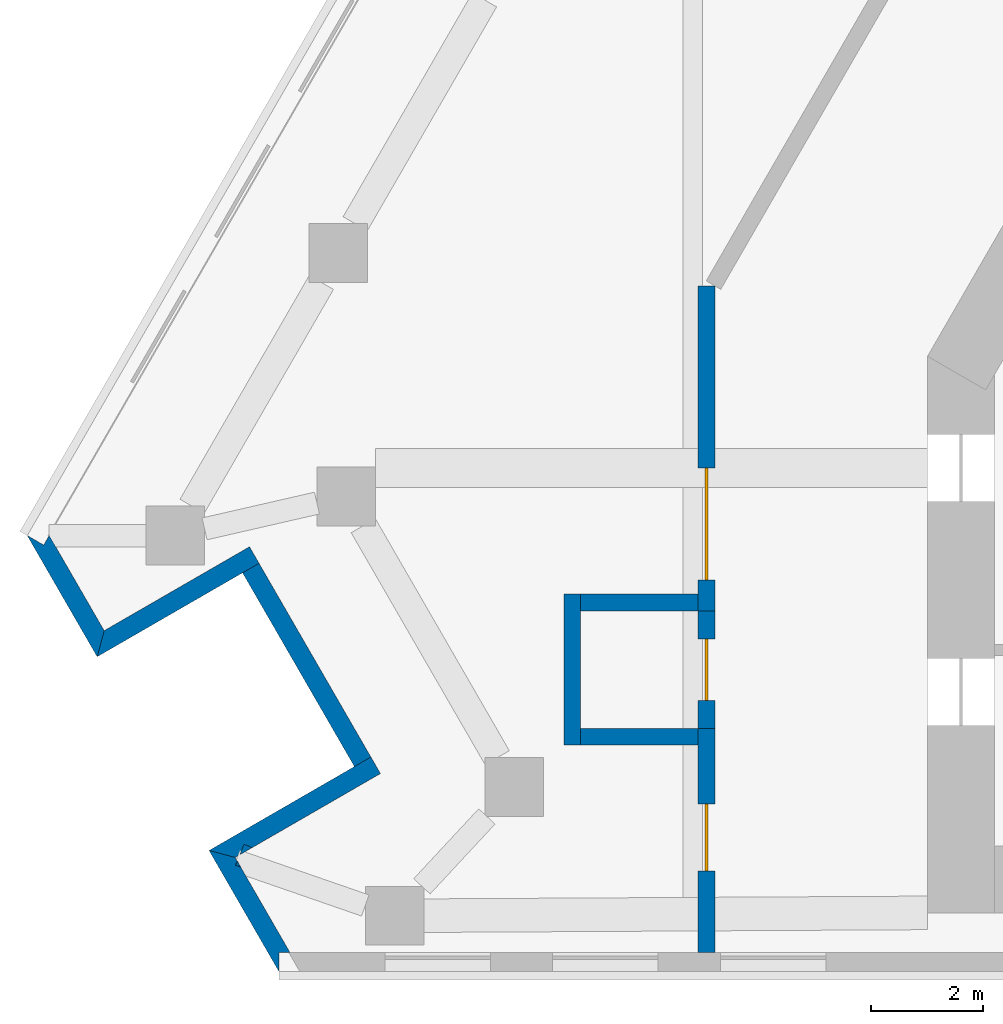
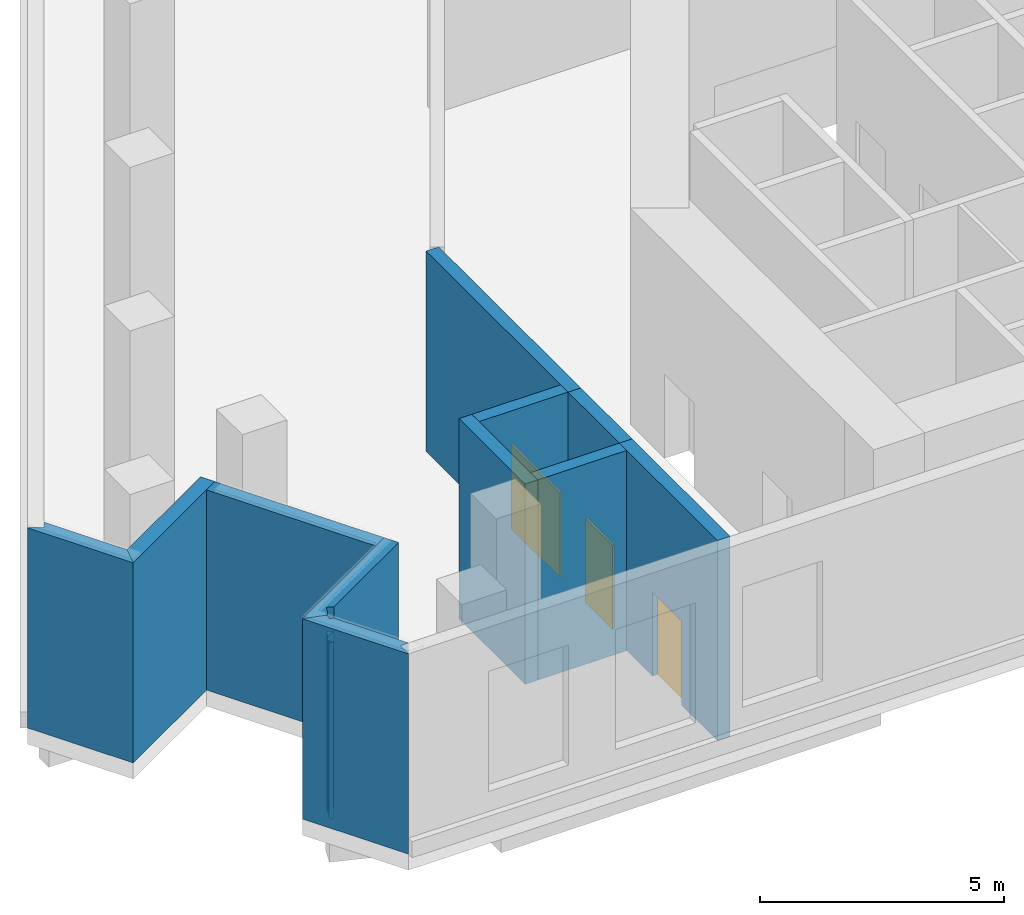
# One storey, part 3 of 10: 13 walls, 3 doors, 3 openings.
"""IFC4 building model written with IfcOpenShell, lengths in metres."""

from ifc_helpers import new_model, si_unit, direction, frame, frame_2d, origin, place, context, subcontext, project, spatial, polyline, rectangle, outline, extrude, material, layer, layer_set, type_object, element, fill, save


model = new_model("IFC4")

# Units and contexts
model_context = context("Model", 3, precision=1e-05, world=origin(), true_north=direction((0.0, 1.0)))
body_context = subcontext(model_context, "Body", "Model", "MODEL_VIEW")
ifc_project = project(units=[si_unit("LENGTHUNIT", "METRE"), si_unit("AREAUNIT", "SQUARE_METRE"), si_unit("VOLUMEUNIT", "CUBIC_METRE"), si_unit("PLANEANGLEUNIT", "RADIAN"), si_unit("MASSUNIT", "GRAM", prefix="KILO")], contexts=[model_context])

# Site, building, storey
site_placement = place(None, origin())
site = spatial("IfcSite", under=ifc_project, at=site_placement, CompositionType="ELEMENT")
building_placement = place(site_placement, origin())
building = spatial("IfcBuilding", under=site, at=building_placement, Name="Fogline Exchange Tower", CompositionType="ELEMENT")
storey_placement = place(building_placement, frame((0.0, 0.0, 132.10009765625)))
storey = spatial("IfcBuildingStorey", under=building, at=storey_placement, Name="L29", CompositionType="ELEMENT", Elevation=132.10009765625)

# Walls
ifc_material_1 = material(Name="Brick masonry", Category="masonry")
ifc_layer_1 = layer(ifc_material_1, 0.340087890625)
ifc_layer_set_1 = layer_set([ifc_layer_1], Name="FW3")
wall_type_1 = type_object("IfcWallType", Name="FW3", PredefinedType="SOLIDWALL", material=ifc_layer_set_1)
wall_1_placement = place(storey_placement, origin())
element("IfcWall", 1, at=wall_1_placement, inside=storey, type_object=wall_type_1, Name="Brick wall L29 SW-c1", PredefinedType="SOLIDWALL", context=body_context, shape_type="SweptSolid", body=[
    extrude(outline(polyline([(-28.643310546875, 5.6279296875), (-29.894287109375, 7.794921875), (-29.893798828125, 7.79541015625), (-29.59912109375, 7.625), (-29.500732421875, 7.79541015625), (-28.51806640625, 6.09375), (-28.64306640625, 5.6279296875), (-28.643310546875, 5.6279296875)])), origin(), (0.0, 0.0, 1.0), 5.0),
])
wall_2_placement = place(storey_placement, origin())
element("IfcWall", 2, at=wall_2_placement, inside=storey, type_object=wall_type_1, Name="Brick wall L29 SW-s1", PredefinedType="SOLIDWALL", context=body_context, shape_type="SweptSolid", body=[
    extrude(outline(polyline([(-25.92041015625, 7.594482421875), (-25.75, 7.298828125), (-26.044921875, 7.128662109375), (-28.643798828125, 5.628173828125), (-28.64404296875, 5.62841796875), (-28.519287109375, 6.093994140625), (-25.92041015625, 7.594482421875)])), origin(), (0.0, 0.0, 1.0), 5.0),
])
wall_3_placement = place(storey_placement, frame((-25.89794921875, 7.214111328125, 0.0), z_axis=(0.0, 0.0, 1.0), x_axis=(0.49999894854, -0.866026010844, 0.0)))
element("IfcWall", 3, at=wall_3_placement, inside=storey, type_object=wall_type_1, Name="Brick wall L29 SW-bk", PredefinedType="SOLIDWALL", context=body_context, shape_type="SweptSolid", body=[
    extrude(rectangle(XDim=4.0, YDim=0.340087890625, at=frame_2d((2.0, 0.0))), origin(), (0.0, 0.0, 1.0), 5.0),
])
wall_4_placement = place(storey_placement, origin())
element("IfcWall", 4, at=wall_4_placement, inside=storey, type_object=wall_type_1, Name="Brick wall L29 SW-s2", PredefinedType="SOLIDWALL", context=body_context, shape_type="SweptSolid", body=[
    extrude(outline(polyline([(-26.09375, 2.0888671875), (-26.020263671875, 2.27587890625), (-25.871337890625, 2.21728515625), (-26.09375, 2.0888671875)])), origin(), (0.0, 0.0, 1.0), 4.39990234375),
])
wall_5_placement = place(storey_placement, origin())
element("IfcWall", 5, at=wall_5_placement, inside=storey, type_object=wall_type_1, Name="Brick wall L29 SW-s2", PredefinedType="SOLIDWALL", context=body_context, shape_type="SweptSolid", body=[
    extrude(outline(polyline([(-24.04541015625, 3.66552734375), (-23.75048828125, 3.8359375), (-23.579833984375, 3.540283203125), (-25.871337890625, 2.21728515625), (-26.020263671875, 2.27587890625), (-26.09375, 2.0888671875), (-26.1787109375, 2.0400390625), (-26.64453125, 2.164794921875), (-26.64453125, 2.1650390625), (-24.04541015625, 3.66552734375)])), origin(), (0.0, 0.0, 1.0), 5.0),
])
wall_6_placement = place(storey_placement, origin())
element("IfcWall", 6, at=wall_6_placement, inside=storey, type_object=wall_type_1, Name="Brick wall L29 SW-c2", PredefinedType="SOLIDWALL", context=body_context, shape_type="SweptSolid", body=[
    extrude(outline(polyline([(-26.079345703125, 1.869384765625), (-26.166748046875, 1.90380859375), (-26.139404296875, 1.973388671875), (-26.079345703125, 1.869384765625)])), origin(), (0.0, 0.0, 1.0), 4.39990234375),
])
wall_7_placement = place(storey_placement, origin())
element("IfcWall", 7, at=wall_7_placement, inside=storey, type_object=wall_type_1, Name="Brick wall L29 SW-c2", PredefinedType="SOLIDWALL", context=body_context, shape_type="SweptSolid", body=[
    extrude(outline(polyline([(-25.392578125, 0.33935546875), (-25.392578125, -0.0009765625), (-25.393310546875, -0.001220703125), (-26.644287109375, 2.165771484375), (-26.64404296875, 2.166015625), (-26.178466796875, 2.041015625), (-26.139404296875, 1.973388671875), (-26.166748046875, 1.90380859375), (-26.079345703125, 1.869384765625), (-25.196044921875, 0.33935546875), (-25.392578125, 0.33935546875)])), origin(), (0.0, 0.0, 1.0), 5.0),
])

# Wall, opening, door
ifc_material_2 = material(Name="Concrete C40", Category="concrete")
ifc_layer_2 = layer(ifc_material_2, 0.300048828125)
ifc_layer_set_2 = layer_set([ifc_layer_2], Name="PP4")
wall_type_2 = type_object("IfcWallType", Name="PP4", PredefinedType="SOLIDWALL", material=ifc_layer_set_2)
wall_8_placement = place(storey_placement, frame((-17.75, 6.449951171875, 0.0), z_axis=(0.0, 0.0, 1.0), x_axis=(0.0, 1.0, 0.0)))
wall_8 = element("IfcWall", 8, at=wall_8_placement, inside=storey, type_object=wall_type_2, Name="PP4 partition", PredefinedType="SOLIDWALL", context=body_context, shape_type="SweptSolid", body=[
    extrude(rectangle(XDim=5.806640625, YDim=0.300048828125, at=frame_2d((2.9033203125, 0.0))), origin(), (0.0, 0.0, 1.0), 5.0),
])
opening_1_placement = place(wall_8_placement, frame((0.550048828125, 0.0, 0.0)))
opening_1 = element("IfcOpeningElement", 9, at=opening_1_placement, cuts=wall_8, Name="Opening L29-D007", PredefinedType="OPENING", context=body_context, shape_type="SweptSolid", body=[
    extrude(rectangle(XDim=2.0, YDim=2.10009765625, at=frame_2d((1.0, 1.050048828125))), frame((0.0, 0.16015625, 0.0), z_axis=(0.0, -1.0, 0.0), x_axis=(1.0, 0.0, 0.0)), (0.0, 0.0, 1.0), 0.320068359375),
])
ifc_material_3 = material(Name="Steel Q235B", Category="steel")
door_type_1 = type_object("IfcDoorType", Name="PD6", OperationType="DOUBLE_DOOR_SINGLE_SWING", PredefinedType="DOOR", material=ifc_material_3)
door_1_placement = place(opening_1_placement, frame((2.0, 0.0, 0.0), z_axis=(0.0, 0.0, 1.0), x_axis=(-1.0, 0.0, 0.0)))
door_1 = element("IfcDoor", 10, at=door_1_placement, inside=storey, type_object=door_type_1, Name="L29-D007", OperationType="DOUBLE_DOOR_SINGLE_SWING", OverallHeight=2.10009765625, OverallWidth=2.0, PredefinedType="DOOR", context=body_context, shape_type="SweptSolid", body=[
    extrude(rectangle(XDim=2.0, YDim=2.10009765625, at=frame_2d((1.0, 1.050048828125))), frame((0.0, 0.02490234375, 0.0), z_axis=(0.0, -1.0, 0.0), x_axis=(1.0, 0.0, 0.0)), (0.0, 0.0, 1.0), 0.050048828125),
])
fill(opening_1, door_1)

wall_9_placement = place(storey_placement, frame((-17.75, 0.340087890625, 0.0), z_axis=(0.0, 0.0, 1.0), x_axis=(0.0, 1.0, 0.0)))
wall_9 = element("IfcWall", 11, at=wall_9_placement, inside=storey, type_object=wall_type_2, Name="PP4 partition", PredefinedType="SOLIDWALL", context=body_context, shape_type="SweptSolid", body=[
    extrude(rectangle(XDim=4.010009765625, YDim=0.300048828125, at=frame_2d((2.0048828125, 0.0))), origin(), (0.0, 0.0, 1.0), 5.0),
])
opening_2_placement = place(wall_9_placement, frame((1.4599609375, 0.0, 0.0)))
opening_2 = element("IfcOpeningElement", 12, at=opening_2_placement, cuts=wall_9, Name="Opening L29-D008", PredefinedType="OPENING", context=body_context, shape_type="SweptSolid", body=[
    extrude(rectangle(XDim=1.199951171875, YDim=2.10009765625, at=frame_2d((0.60009765625, 1.050048828125))), frame((0.0, 0.16015625, 0.0), z_axis=(0.0, -1.0, 0.0), x_axis=(1.0, 0.0, 0.0)), (0.0, 0.0, 1.0), 0.320068359375),
])
door_type_2 = type_object("IfcDoorType", Name="PD7", OperationType="SINGLE_SWING_LEFT", PredefinedType="DOOR", material=ifc_material_3)
door_2_placement = place(opening_2_placement, frame((1.199951171875, 0.0, 0.0), z_axis=(0.0, 0.0, 1.0), x_axis=(-1.0, 0.0, 0.0)))
door_2 = element("IfcDoor", 13, at=door_2_placement, inside=storey, type_object=door_type_2, Name="L29-D008", OperationType="SINGLE_SWING_LEFT", OverallHeight=2.10009765625, OverallWidth=1.199951171875, PredefinedType="DOOR", context=body_context, shape_type="SweptSolid", body=[
    extrude(rectangle(XDim=1.199951171875, YDim=2.10009765625, at=frame_2d((0.60009765625, 1.050048828125))), frame((0.0, 0.02490234375, 0.0), z_axis=(0.0, -1.0, 0.0), x_axis=(1.0, 0.0, 0.0)), (0.0, 0.0, 1.0), 0.050048828125),
])
fill(opening_2, door_2)

# Walls
wall_10_placement = place(storey_placement, frame((-20.14990234375, 4.050048828125, 0.0), z_axis=(0.0, 0.0, 1.0), x_axis=(0.0, 1.0, 0.0)))
element("IfcWall", 14, at=wall_10_placement, inside=storey, type_object=wall_type_2, Name="PP4 partition", PredefinedType="SOLIDWALL", context=body_context, shape_type="SweptSolid", body=[
    extrude(rectangle(XDim=2.699951171875, YDim=0.300048828125, at=frame_2d((1.35009765625, 0.0))), origin(), (0.0, 0.0, 1.0), 5.0),
])
wall_11_placement = place(storey_placement, frame((-17.89990234375, 4.199951171875, 0.0), z_axis=(0.0, 0.0, 1.0), x_axis=(-1.0, 0.0, 0.0)))
element("IfcWall", 15, at=wall_11_placement, inside=storey, type_object=wall_type_2, Name="PP4 partition", PredefinedType="SOLIDWALL", context=body_context, shape_type="SweptSolid", body=[
    extrude(rectangle(XDim=2.10009765625, YDim=0.300048828125, at=frame_2d((1.050048828125, 0.0))), origin(), (0.0, 0.0, 1.0), 5.0),
])

# Wall, opening, door
wall_12_placement = place(storey_placement, frame((-17.75, 4.35009765625, 0.0), z_axis=(0.0, 0.0, 1.0), x_axis=(0.0, 1.0, 0.0)))
wall_12 = element("IfcWall", 16, at=wall_12_placement, inside=storey, type_object=wall_type_2, Name="PP4 partition", PredefinedType="SOLIDWALL", context=body_context, shape_type="SweptSolid", body=[
    extrude(rectangle(XDim=2.099853515625, YDim=0.300048828125, at=frame_2d((1.0498046875, 0.0))), origin(), (0.0, 0.0, 1.0), 5.0),
])
opening_3_placement = place(wall_12_placement, frame((0.5, 0.0, 0.0)))
opening_3 = element("IfcOpeningElement", 17, at=opening_3_placement, cuts=wall_12, Name="Opening L29-D001", PredefinedType="OPENING", context=body_context, shape_type="SweptSolid", body=[
    extrude(rectangle(XDim=1.10009765625, YDim=2.10009765625, at=frame_2d((0.550048828125, 1.050048828125))), frame((0.0, 0.16015625, 0.0), z_axis=(0.0, -1.0, 0.0), x_axis=(1.0, 0.0, 0.0)), (0.0, 0.0, 1.0), 0.320068359375),
])
door_type_3 = type_object("IfcDoorType", Name="PD5", OperationType="SINGLE_SWING_LEFT", PredefinedType="DOOR", material=ifc_material_3)
door_3_placement = place(opening_3_placement, origin())
door_3 = element("IfcDoor", 18, at=door_3_placement, inside=storey, type_object=door_type_3, Name="L29-D001", OperationType="SINGLE_SWING_LEFT", OverallHeight=2.10009765625, OverallWidth=1.10009765625, PredefinedType="DOOR", context=body_context, shape_type="SweptSolid", body=[
    extrude(rectangle(XDim=1.10009765625, YDim=2.10009765625, at=frame_2d((0.550048828125, 1.050048828125))), frame((0.0, 0.02490234375, 0.0), z_axis=(0.0, -1.0, 0.0), x_axis=(1.0, 0.0, 0.0)), (0.0, 0.0, 1.0), 0.050048828125),
])
fill(opening_3, door_3)

# Wall
wall_13_placement = place(storey_placement, frame((-20.0, 6.60009765625, 0.0), z_axis=(0.0, 0.0, 1.0), x_axis=(1.0, 0.0, 0.0)))
element("IfcWall", 19, at=wall_13_placement, inside=storey, type_object=wall_type_2, Name="PP4 partition", PredefinedType="SOLIDWALL", context=body_context, shape_type="SweptSolid", body=[
    extrude(rectangle(XDim=2.10009765625, YDim=0.300048828125, at=frame_2d((1.050048828125, 0.0))), origin(), (0.0, 0.0, 1.0), 5.0),
])

save(model, "model.ifc")
